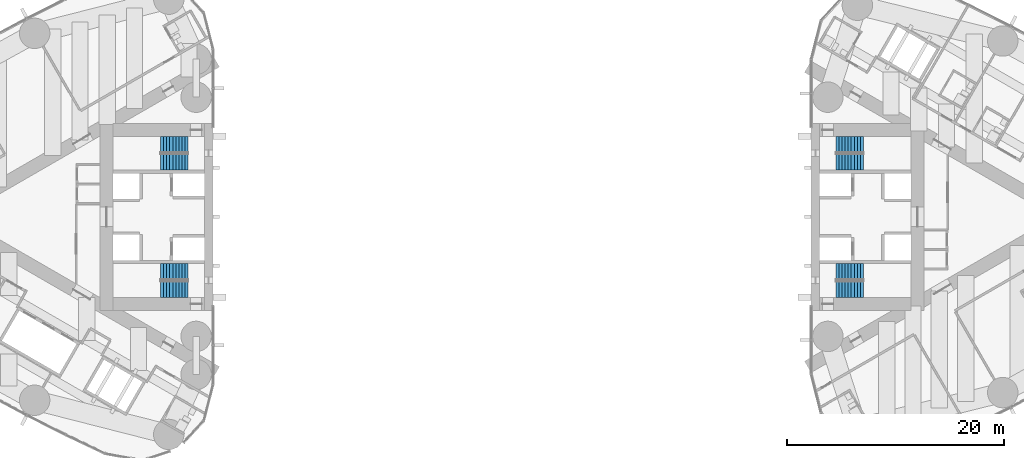
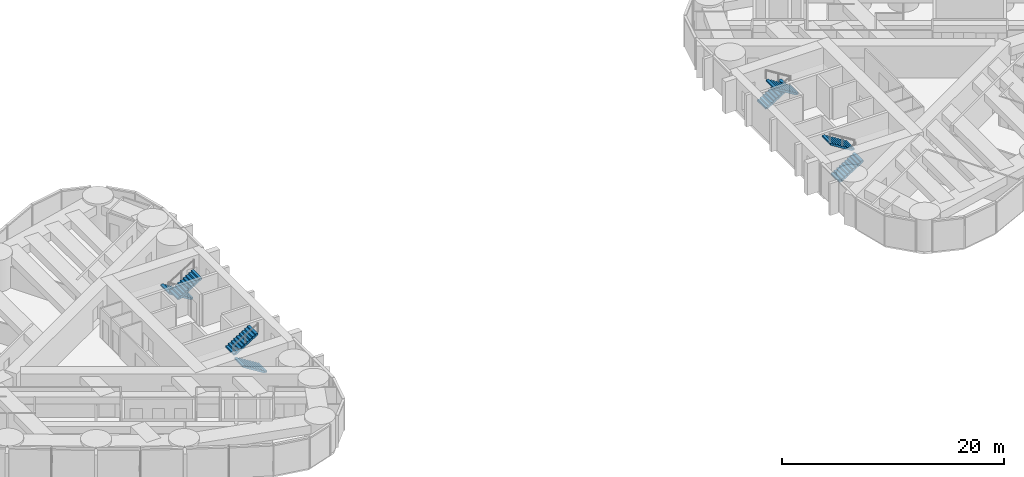
# One storey, part 17 of 19: 8 stair flights, 4 elements without a shape of their own.
"""IFC4 building model written with IfcOpenShell, lengths in metres."""

from ifc_helpers import new_model, si_unit, direction, frame, origin, place, context, subcontext, project, spatial, polyline, outline, extrude, material, type_object, element, aggregate, save


model = new_model("IFC4")

# Units and contexts
model_context = context("Model", 3, precision=1e-05, world=origin(), true_north=direction((0.0, 1.0)))
body_context = subcontext(model_context, "Body", "Model", "MODEL_VIEW")
ifc_project = project(units=[si_unit("LENGTHUNIT", "METRE"), si_unit("AREAUNIT", "SQUARE_METRE"), si_unit("VOLUMEUNIT", "CUBIC_METRE"), si_unit("PLANEANGLEUNIT", "RADIAN"), si_unit("MASSUNIT", "GRAM", prefix="KILO")], contexts=[model_context])

# Site, building, storey
site_placement = place(None, origin())
site = spatial("IfcSite", under=ifc_project, at=site_placement, CompositionType="ELEMENT")
building_placement = place(site_placement, origin())
building = spatial("IfcBuilding", under=site, at=building_placement, Name="Lancet Gate Hotel", CompositionType="ELEMENT")
storey_placement = place(building_placement, frame((0.0, 0.0, 159.800048828125)))
storey = spatial("IfcBuildingStorey", under=building, at=storey_placement, Name="L42", CompositionType="ELEMENT", Elevation=159.800048828125)

# Stair, stair flights
ifc_material_1 = material(Name="Exit stair 20 risers 1500")
stair_type = type_object("IfcStairType", Name="Exit stair 20 risers 1500", PredefinedType="HALF_TURN_STAIR", material=ifc_material_1)
stair_1_placement = place(storey_placement, origin())
stair_1 = element("IfcStair", 1, at=stair_1_placement, inside=storey, type_object=stair_type, Name="T1 stair 1 L42", PredefinedType="HALF_TURN_STAIR")
ifc_material_2 = material(Name="Stair flight 10 risers 175 rise 1500")
stair_flight_type = type_object("IfcStairFlightType", Name="Stair flight 10 risers 175 rise 1500", PredefinedType="STRAIGHT", material=ifc_material_2)
stair_flight_1_placement = place(storey_placement, frame((-29.800048828125, 6.64990234375, 0.0), z_axis=(0.0, 0.0, 1.0), x_axis=(-1.0, 0.0, 0.0)))
stair_flight_1 = element("IfcStairFlight", 2, at=stair_flight_1_placement, type_object=stair_flight_type, Name="ST1 flight 1", NumberOfRisers=10, NumberOfTreads=9, PredefinedType="STRAIGHT", RiserHeight=0.175, TreadLength=0.28, context=body_context, shape_type="SweptSolid", body=[
    extrude(outline(polyline([(0.0, 0.0), (0.0, 0.175048828125), (0.280029296875, 0.175048828125), (0.280029296875, 0.35009765625), (0.56005859375, 0.35009765625), (0.56005859375, 0.52490234375), (0.840087890625, 0.52490234375), (0.840087890625, 0.699951171875), (1.1201171875, 0.699951171875), (1.1201171875, 0.875), (1.39990234375, 0.875), (1.39990234375, 1.050048828125), (1.679931640625, 1.050048828125), (1.679931640625, 1.22509765625), (1.9599609375, 1.22509765625), (1.9599609375, 1.39990234375), (2.239990234375, 1.39990234375), (2.239990234375, 1.574951171875), (2.52001953125, 1.574951171875), (2.52001953125, 1.75), (2.52001953125, 1.398193359375), (0.28271484375, 0.0), (0.0, 0.0)])), frame((0.0, 0.75, 0.0), z_axis=(0.0, -1.0, 0.0), x_axis=(1.0, 0.0, 0.0)), (0.0, 0.0, 1.0), 1.5),
])
stair_flight_2_placement = place(storey_placement, frame((-32.320068359375, 5.050048828125, 1.75), z_axis=(0.0, 0.0, 1.0), x_axis=(1.0, 0.0, 0.0)))
stair_flight_2 = element("IfcStairFlight", 3, at=stair_flight_2_placement, type_object=stair_flight_type, Name="ST1 flight 2", NumberOfRisers=10, NumberOfTreads=9, PredefinedType="STRAIGHT", RiserHeight=0.175, TreadLength=0.28, context=body_context, shape_type="SweptSolid", body=[
    extrude(outline(polyline([(0.0, 0.0), (0.0, 0.175048828125), (0.280029296875, 0.175048828125), (0.280029296875, 0.35009765625), (0.56005859375, 0.35009765625), (0.56005859375, 0.52490234375), (0.840087890625, 0.52490234375), (0.840087890625, 0.699951171875), (1.1201171875, 0.699951171875), (1.1201171875, 0.875), (1.39990234375, 0.875), (1.39990234375, 1.050048828125), (1.679931640625, 1.050048828125), (1.679931640625, 1.22509765625), (1.9599609375, 1.22509765625), (1.9599609375, 1.39990234375), (2.239990234375, 1.39990234375), (2.239990234375, 1.574951171875), (2.52001953125, 1.574951171875), (2.52001953125, 1.75), (2.52001953125, 1.398193359375), (0.28271484375, 0.0), (0.0, 0.0)])), frame((0.0, 0.75, 0.0), z_axis=(0.0, -1.0, 0.0), x_axis=(1.0, 0.0, 0.0)), (0.0, 0.0, 1.0), 1.5),
])
aggregate(stair_1, [stair_flight_1, stair_flight_2])

stair_2_placement = place(storey_placement, origin())
stair_2 = element("IfcStair", 4, at=stair_2_placement, inside=storey, type_object=stair_type, Name="T1 stair 2 L42", PredefinedType="HALF_TURN_STAIR")
stair_flight_3_placement = place(storey_placement, frame((-29.800048828125, -6.64990234375, 0.0), z_axis=(0.0, 0.0, 1.0), x_axis=(-1.0, 0.0, 0.0)))
stair_flight_3 = element("IfcStairFlight", 5, at=stair_flight_3_placement, type_object=stair_flight_type, Name="ST2 flight 1", NumberOfRisers=10, NumberOfTreads=9, PredefinedType="STRAIGHT", RiserHeight=0.175, TreadLength=0.28, context=body_context, shape_type="SweptSolid", body=[
    extrude(outline(polyline([(0.0, 0.0), (0.0, 0.175048828125), (0.280029296875, 0.175048828125), (0.280029296875, 0.35009765625), (0.56005859375, 0.35009765625), (0.56005859375, 0.52490234375), (0.840087890625, 0.52490234375), (0.840087890625, 0.699951171875), (1.1201171875, 0.699951171875), (1.1201171875, 0.875), (1.39990234375, 0.875), (1.39990234375, 1.050048828125), (1.679931640625, 1.050048828125), (1.679931640625, 1.22509765625), (1.9599609375, 1.22509765625), (1.9599609375, 1.39990234375), (2.239990234375, 1.39990234375), (2.239990234375, 1.574951171875), (2.52001953125, 1.574951171875), (2.52001953125, 1.75), (2.52001953125, 1.398193359375), (0.28271484375, 0.0), (0.0, 0.0)])), frame((0.0, 0.75, 0.0), z_axis=(0.0, -1.0, 0.0), x_axis=(1.0, 0.0, 0.0)), (0.0, 0.0, 1.0), 1.5),
])
stair_flight_4_placement = place(storey_placement, frame((-32.320068359375, -5.050048828125, 1.75), z_axis=(0.0, 0.0, 1.0), x_axis=(1.0, 0.0, 0.0)))
stair_flight_4 = element("IfcStairFlight", 6, at=stair_flight_4_placement, type_object=stair_flight_type, Name="ST2 flight 2", NumberOfRisers=10, NumberOfTreads=9, PredefinedType="STRAIGHT", RiserHeight=0.175, TreadLength=0.28, context=body_context, shape_type="SweptSolid", body=[
    extrude(outline(polyline([(0.0, 0.0), (0.0, 0.175048828125), (0.280029296875, 0.175048828125), (0.280029296875, 0.35009765625), (0.56005859375, 0.35009765625), (0.56005859375, 0.52490234375), (0.840087890625, 0.52490234375), (0.840087890625, 0.699951171875), (1.1201171875, 0.699951171875), (1.1201171875, 0.875), (1.39990234375, 0.875), (1.39990234375, 1.050048828125), (1.679931640625, 1.050048828125), (1.679931640625, 1.22509765625), (1.9599609375, 1.22509765625), (1.9599609375, 1.39990234375), (2.239990234375, 1.39990234375), (2.239990234375, 1.574951171875), (2.52001953125, 1.574951171875), (2.52001953125, 1.75), (2.52001953125, 1.398193359375), (0.28271484375, 0.0), (0.0, 0.0)])), frame((0.0, 0.75, 0.0), z_axis=(0.0, -1.0, 0.0), x_axis=(1.0, 0.0, 0.0)), (0.0, 0.0, 1.0), 1.5),
])
aggregate(stair_2, [stair_flight_3, stair_flight_4])

stair_3_placement = place(storey_placement, origin())
stair_3 = element("IfcStair", 7, at=stair_3_placement, inside=storey, type_object=stair_type, Name="T2 stair 1 L42", PredefinedType="HALF_TURN_STAIR")
stair_flight_5_placement = place(storey_placement, frame((29.800048828125, -6.64990234375, 0.0), z_axis=(0.0, 0.0, 1.0), x_axis=(1.0, 0.0, 0.0)))
stair_flight_5 = element("IfcStairFlight", 8, at=stair_flight_5_placement, type_object=stair_flight_type, Name="ST3 flight 1", NumberOfRisers=10, NumberOfTreads=9, PredefinedType="STRAIGHT", RiserHeight=0.175, TreadLength=0.28, context=body_context, shape_type="SweptSolid", body=[
    extrude(outline(polyline([(0.0, 0.0), (0.0, 0.175048828125), (0.280029296875, 0.175048828125), (0.280029296875, 0.35009765625), (0.56005859375, 0.35009765625), (0.56005859375, 0.52490234375), (0.840087890625, 0.52490234375), (0.840087890625, 0.699951171875), (1.1201171875, 0.699951171875), (1.1201171875, 0.875), (1.39990234375, 0.875), (1.39990234375, 1.050048828125), (1.679931640625, 1.050048828125), (1.679931640625, 1.22509765625), (1.9599609375, 1.22509765625), (1.9599609375, 1.39990234375), (2.239990234375, 1.39990234375), (2.239990234375, 1.574951171875), (2.52001953125, 1.574951171875), (2.52001953125, 1.75), (2.52001953125, 1.398193359375), (0.28271484375, 0.0), (0.0, 0.0)])), frame((0.0, 0.75, 0.0), z_axis=(0.0, -1.0, 0.0), x_axis=(1.0, 0.0, 0.0)), (0.0, 0.0, 1.0), 1.5),
])
stair_flight_6_placement = place(storey_placement, frame((32.320068359375, -5.050048828125, 1.75), z_axis=(0.0, 0.0, 1.0), x_axis=(-1.0, 0.0, 0.0)))
stair_flight_6 = element("IfcStairFlight", 9, at=stair_flight_6_placement, type_object=stair_flight_type, Name="ST3 flight 2", NumberOfRisers=10, NumberOfTreads=9, PredefinedType="STRAIGHT", RiserHeight=0.175, TreadLength=0.28, context=body_context, shape_type="SweptSolid", body=[
    extrude(outline(polyline([(0.0, 0.0), (0.0, 0.175048828125), (0.280029296875, 0.175048828125), (0.280029296875, 0.35009765625), (0.56005859375, 0.35009765625), (0.56005859375, 0.52490234375), (0.840087890625, 0.52490234375), (0.840087890625, 0.699951171875), (1.1201171875, 0.699951171875), (1.1201171875, 0.875), (1.39990234375, 0.875), (1.39990234375, 1.050048828125), (1.679931640625, 1.050048828125), (1.679931640625, 1.22509765625), (1.9599609375, 1.22509765625), (1.9599609375, 1.39990234375), (2.239990234375, 1.39990234375), (2.239990234375, 1.574951171875), (2.52001953125, 1.574951171875), (2.52001953125, 1.75), (2.52001953125, 1.398193359375), (0.28271484375, 0.0), (0.0, 0.0)])), frame((0.0, 0.75, 0.0), z_axis=(0.0, -1.0, 0.0), x_axis=(1.0, 0.0, 0.0)), (0.0, 0.0, 1.0), 1.5),
])
aggregate(stair_3, [stair_flight_5, stair_flight_6])

stair_4_placement = place(storey_placement, origin())
stair_4 = element("IfcStair", 10, at=stair_4_placement, inside=storey, type_object=stair_type, Name="T2 stair 2 L42", PredefinedType="HALF_TURN_STAIR")
stair_flight_7_placement = place(storey_placement, frame((29.800048828125, 6.64990234375, 0.0), z_axis=(0.0, 0.0, 1.0), x_axis=(1.0, 0.0, 0.0)))
stair_flight_7 = element("IfcStairFlight", 11, at=stair_flight_7_placement, type_object=stair_flight_type, Name="ST4 flight 1", NumberOfRisers=10, NumberOfTreads=9, PredefinedType="STRAIGHT", RiserHeight=0.175, TreadLength=0.28, context=body_context, shape_type="SweptSolid", body=[
    extrude(outline(polyline([(0.0, 0.0), (0.0, 0.175048828125), (0.280029296875, 0.175048828125), (0.280029296875, 0.35009765625), (0.56005859375, 0.35009765625), (0.56005859375, 0.52490234375), (0.840087890625, 0.52490234375), (0.840087890625, 0.699951171875), (1.1201171875, 0.699951171875), (1.1201171875, 0.875), (1.39990234375, 0.875), (1.39990234375, 1.050048828125), (1.679931640625, 1.050048828125), (1.679931640625, 1.22509765625), (1.9599609375, 1.22509765625), (1.9599609375, 1.39990234375), (2.239990234375, 1.39990234375), (2.239990234375, 1.574951171875), (2.52001953125, 1.574951171875), (2.52001953125, 1.75), (2.52001953125, 1.398193359375), (0.28271484375, 0.0), (0.0, 0.0)])), frame((0.0, 0.75, 0.0), z_axis=(0.0, -1.0, 0.0), x_axis=(1.0, 0.0, 0.0)), (0.0, 0.0, 1.0), 1.5),
])
stair_flight_8_placement = place(storey_placement, frame((32.320068359375, 5.050048828125, 1.75), z_axis=(0.0, 0.0, 1.0), x_axis=(-1.0, 0.0, 0.0)))
stair_flight_8 = element("IfcStairFlight", 12, at=stair_flight_8_placement, type_object=stair_flight_type, Name="ST4 flight 2", NumberOfRisers=10, NumberOfTreads=9, PredefinedType="STRAIGHT", RiserHeight=0.175, TreadLength=0.28, context=body_context, shape_type="SweptSolid", body=[
    extrude(outline(polyline([(0.0, 0.0), (0.0, 0.175048828125), (0.280029296875, 0.175048828125), (0.280029296875, 0.35009765625), (0.56005859375, 0.35009765625), (0.56005859375, 0.52490234375), (0.840087890625, 0.52490234375), (0.840087890625, 0.699951171875), (1.1201171875, 0.699951171875), (1.1201171875, 0.875), (1.39990234375, 0.875), (1.39990234375, 1.050048828125), (1.679931640625, 1.050048828125), (1.679931640625, 1.22509765625), (1.9599609375, 1.22509765625), (1.9599609375, 1.39990234375), (2.239990234375, 1.39990234375), (2.239990234375, 1.574951171875), (2.52001953125, 1.574951171875), (2.52001953125, 1.75), (2.52001953125, 1.398193359375), (0.28271484375, 0.0), (0.0, 0.0)])), frame((0.0, 0.75, 0.0), z_axis=(0.0, -1.0, 0.0), x_axis=(1.0, 0.0, 0.0)), (0.0, 0.0, 1.0), 1.5),
])
aggregate(stair_4, [stair_flight_7, stair_flight_8])

save(model, "model.ifc")
